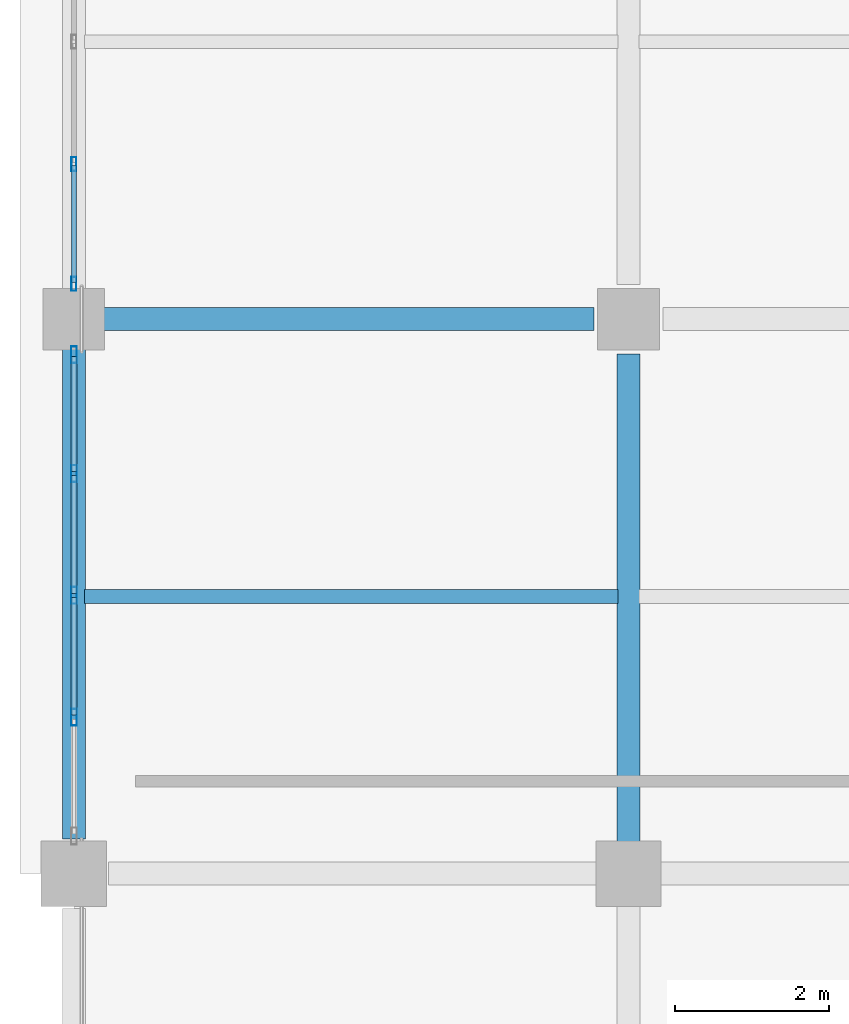
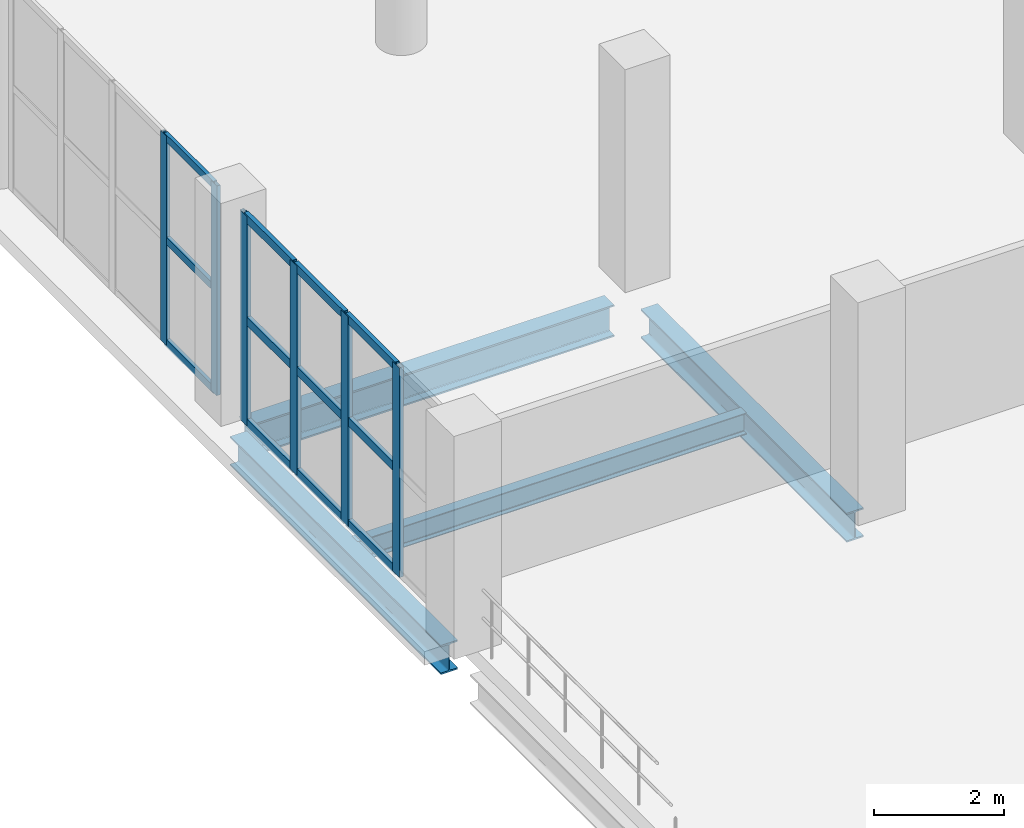
# One storey, part 11 of 153: 18 members, 4 beams, 2 elements without a shape of their own.
"""IFC4 building model written with IfcOpenShell, lengths in metres."""

from ifc_helpers import new_model, si_unit, direction, frame, origin, origin_2d, place, context, subcontext, project, spatial, hollow_rectangle, i_section, extrude, material, material_profile, profile_set, type_object, element, aggregate, save


model = new_model("IFC4")

# Units and contexts
model_context = context("Model", 3, precision=1e-05, world=origin(), true_north=direction((0.0, 1.0)))
body_context = subcontext(model_context, "Body", "Model", "MODEL_VIEW")
ifc_project = project(units=[si_unit("LENGTHUNIT", "METRE"), si_unit("AREAUNIT", "SQUARE_METRE"), si_unit("VOLUMEUNIT", "CUBIC_METRE"), si_unit("PLANEANGLEUNIT", "RADIAN"), si_unit("MASSUNIT", "GRAM", prefix="KILO")], contexts=[model_context])

# Site, building, storey
site_placement = place(None, origin())
site = spatial("IfcSite", under=ifc_project, at=site_placement, CompositionType="ELEMENT")
building_placement = place(site_placement, origin())
building = spatial("IfcBuilding", under=site, at=building_placement, Name="Qandorah Velis Arena", CompositionType="ELEMENT")
storey_placement = place(building_placement, frame((0.0, 0.0, 5.39990234375)))
storey = spatial("IfcBuildingStorey", under=building, at=storey_placement, Name="L01", CompositionType="ELEMENT", Elevation=5.39990234375)

# Curtain wall, members
ifc_material_1 = material(Name="Solar-control low-E double glazing", Category="glass")
curtain_wall_type_1 = type_object("IfcCurtainWallType", Name="ARC-CW-SYS02", PredefinedType="USERDEFINED", material=ifc_material_1)
curtain_wall_1_placement = place(storey_placement, origin())
curtain_wall_1 = element("IfcCurtainWall", 1, at=curtain_wall_1_placement, inside=storey, type_object=curtain_wall_type_1, Name="Unitised curtain wall L01-002", ObjectType="UNITISED CURTAIN WALL", PredefinedType="USERDEFINED")
ifc_material_2 = material(Name="Champagne-bronze anodized aluminium 6063-T6", Category="aluminium")
ifc_material_profile_1 = material_profile(ifc_material_2, hollow_rectangle(XDim=0.06494140625, YDim=0.179931640625, WallThickness=0.00341796875, at=origin_2d()), Name="ALU MULLION 65x180")
ifc_profile_set_1 = profile_set([ifc_material_profile_1], Name="Champagne-bronze anodized aluminium 6063-T6")
member_type_1 = type_object("IfcMemberType", Name="ARC-CWM-180", PredefinedType="MULLION", material=ifc_profile_set_1)
member_1_placement = place(storey_placement, frame((0.0, 22.0576171875, -0.014892578125), z_axis=(0.0, 0.0, 1.0), x_axis=(-1.0, 0.0, 0.0)))
member_1 = element("IfcMember", 2, at=member_1_placement, type_object=member_type_1, Name="CW02 mullion 1", PredefinedType="MULLION", context=body_context, shape_type="SweptSolid", body=[
    extrude(hollow_rectangle(XDim=0.06494140625, YDim=0.179931640625, WallThickness=0.00341796875, at=origin_2d()), origin(), (0.0, 0.0, 1.0), 3.949951171875),
])
member_2_placement = place(storey_placement, frame((0.0, 23.612548828125, -0.014892578125), z_axis=(0.0, 0.0, 1.0), x_axis=(-1.0, 0.0, 0.0)))
member_2 = element("IfcMember", 3, at=member_2_placement, type_object=member_type_1, Name="CW02 mullion 2", PredefinedType="MULLION", context=body_context, shape_type="SweptSolid", body=[
    extrude(hollow_rectangle(XDim=0.06494140625, YDim=0.179931640625, WallThickness=0.00341796875, at=origin_2d()), origin(), (0.0, 0.0, 1.0), 3.949951171875),
])

curtain_wall_type_2 = type_object("IfcCurtainWallType", Name="ARC-CW-SYS01", PredefinedType="USERDEFINED", material=ifc_material_1)
curtain_wall_2_placement = place(storey_placement, origin())
curtain_wall_2 = element("IfcCurtainWall", 4, at=curtain_wall_2_placement, inside=storey, type_object=curtain_wall_type_2, Name="Unitised curtain wall L01-001", ObjectType="UNITISED CURTAIN WALL", PredefinedType="USERDEFINED")
ifc_material_profile_2 = material_profile(ifc_material_2, hollow_rectangle(XDim=0.074951171875, YDim=0.219970703125, WallThickness=0.00390625, at=origin_2d()), Name="ALU MULLION 75x220")
ifc_profile_set_2 = profile_set([ifc_material_profile_2], Name="Champagne-bronze anodized aluminium 6063-T6")
member_type_2 = type_object("IfcMemberType", Name="ARC-CWM-220", PredefinedType="MULLION", material=ifc_profile_set_2)
member_3_placement = place(storey_placement, frame((0.0, 16.43115234375, -0.014892578125), z_axis=(0.0, 0.0, 1.0), x_axis=(-1.0, 0.0, 0.0)))
member_3 = element("IfcMember", 5, at=member_3_placement, type_object=member_type_2, Name="CW01 mullion 2", PredefinedType="MULLION", context=body_context, shape_type="SweptSolid", body=[
    extrude(hollow_rectangle(XDim=0.074951171875, YDim=0.219970703125, WallThickness=0.00390625, at=origin_2d()), origin(), (0.0, 0.0, 1.0), 3.949951171875),
])
member_4_placement = place(storey_placement, frame((0.0, 18.012451171875, -0.014892578125), z_axis=(0.0, 0.0, 1.0), x_axis=(-1.0, 0.0, 0.0)))
member_4 = element("IfcMember", 6, at=member_4_placement, type_object=member_type_2, Name="CW01 mullion 3", PredefinedType="MULLION", context=body_context, shape_type="SweptSolid", body=[
    extrude(hollow_rectangle(XDim=0.074951171875, YDim=0.219970703125, WallThickness=0.00390625, at=origin_2d()), origin(), (0.0, 0.0, 1.0), 3.949951171875),
])
member_5_placement = place(storey_placement, frame((0.0, 19.59375, -0.014892578125), z_axis=(0.0, 0.0, 1.0), x_axis=(-1.0, 0.0, 0.0)))
member_5 = element("IfcMember", 7, at=member_5_placement, type_object=member_type_2, Name="CW01 mullion 4", PredefinedType="MULLION", context=body_context, shape_type="SweptSolid", body=[
    extrude(hollow_rectangle(XDim=0.074951171875, YDim=0.219970703125, WallThickness=0.00390625, at=origin_2d()), origin(), (0.0, 0.0, 1.0), 3.949951171875),
])
member_6_placement = place(storey_placement, frame((0.0, 21.137451171875, -0.014892578125), z_axis=(0.0, 0.0, 1.0), x_axis=(-1.0, 0.0, 0.0)))
member_6 = element("IfcMember", 8, at=member_6_placement, type_object=member_type_2, Name="CW01 mullion 5", PredefinedType="MULLION", context=body_context, shape_type="SweptSolid", body=[
    extrude(hollow_rectangle(XDim=0.074951171875, YDim=0.219970703125, WallThickness=0.00390625, at=origin_2d()), origin(), (0.0, 0.0, 1.0), 3.949951171875),
])

# Member
ifc_material_profile_3 = material_profile(ifc_material_2, hollow_rectangle(XDim=0.06494140625, YDim=0.139892578125, WallThickness=0.0029296875, at=origin_2d()), Name="ALU TRANSOM 65x140")
ifc_profile_set_3 = profile_set([ifc_material_profile_3], Name="Champagne-bronze anodized aluminium 6063-T6")
member_type_3 = type_object("IfcMemberType", Name="ARC-CWT-140", PredefinedType="USERDEFINED", material=ifc_profile_set_3)
member_7_placement = place(storey_placement, frame((0.0, 22.077880859375, 0.03271484375), z_axis=(0.0, 1.0, 0.0), x_axis=(-1.0, 0.0, 0.0)))
member_7 = element("IfcMember", 9, at=member_7_placement, type_object=member_type_3, Name="CW02 transom 1.1", ObjectType="TRANSOM", PredefinedType="USERDEFINED", context=body_context, shape_type="SweptSolid", body=[
    extrude(hollow_rectangle(XDim=0.06494140625, YDim=0.139892578125, WallThickness=0.0029296875, at=origin_2d()), origin(), (0.0, 0.0, 1.0), 1.51416015625),
])

member_8_placement = place(storey_placement, frame((0.0, 22.077880859375, 1.960205078125), z_axis=(0.0, 1.0, 0.0), x_axis=(-1.0, 0.0, 0.0)))
member_8 = element("IfcMember", 10, at=member_8_placement, type_object=member_type_3, Name="CW02 transom 1.2", ObjectType="TRANSOM", PredefinedType="USERDEFINED", context=body_context, shape_type="SweptSolid", body=[
    extrude(hollow_rectangle(XDim=0.06494140625, YDim=0.139892578125, WallThickness=0.0029296875, at=origin_2d()), origin(), (0.0, 0.0, 1.0), 1.51416015625),
])

member_9_placement = place(storey_placement, frame((0.0, 22.077880859375, 3.8876953125), z_axis=(0.0, 1.0, 0.0), x_axis=(-1.0, 0.0, 0.0)))
member_9 = element("IfcMember", 11, at=member_9_placement, type_object=member_type_3, Name="CW02 transom 1.3", ObjectType="TRANSOM", PredefinedType="USERDEFINED", context=body_context, shape_type="SweptSolid", body=[
    extrude(hollow_rectangle(XDim=0.06494140625, YDim=0.139892578125, WallThickness=0.0029296875, at=origin_2d()), origin(), (0.0, 0.0, 1.0), 1.51416015625),
])

aggregate(curtain_wall_1, [member_1, member_2, member_7, member_8, member_9])

ifc_material_profile_4 = material_profile(ifc_material_2, hollow_rectangle(XDim=0.074951171875, YDim=0.159912109375, WallThickness=0.00341796875, at=origin_2d()), Name="ALU TRANSOM 75x160")
ifc_profile_set_4 = profile_set([ifc_material_profile_4], Name="Champagne-bronze anodized aluminium 6063-T6")
member_type_4 = type_object("IfcMemberType", Name="ARC-CWT-160", PredefinedType="USERDEFINED", material=ifc_profile_set_4)
member_10_placement = place(storey_placement, frame((0.0, 16.456787109375, 0.03759765625), z_axis=(0.0, 1.0, 0.0), x_axis=(-1.0, 0.0, 0.0)))
member_10 = element("IfcMember", 12, at=member_10_placement, type_object=member_type_4, Name="CW01 transom 2.1", ObjectType="TRANSOM", PredefinedType="USERDEFINED", context=body_context, shape_type="SweptSolid", body=[
    extrude(hollow_rectangle(XDim=0.074951171875, YDim=0.159912109375, WallThickness=0.00341796875, at=origin_2d()), origin(), (0.0, 0.0, 1.0), 1.5302734375),
])

member_11_placement = place(storey_placement, frame((0.0, 16.456787109375, 1.960205078125), z_axis=(0.0, 1.0, 0.0), x_axis=(-1.0, 0.0, 0.0)))
member_11 = element("IfcMember", 13, at=member_11_placement, type_object=member_type_4, Name="CW01 transom 2.2", ObjectType="TRANSOM", PredefinedType="USERDEFINED", context=body_context, shape_type="SweptSolid", body=[
    extrude(hollow_rectangle(XDim=0.074951171875, YDim=0.159912109375, WallThickness=0.00341796875, at=origin_2d()), origin(), (0.0, 0.0, 1.0), 1.5302734375),
])

member_12_placement = place(storey_placement, frame((0.0, 16.456787109375, 3.882568359375), z_axis=(0.0, 1.0, 0.0), x_axis=(-1.0, 0.0, 0.0)))
member_12 = element("IfcMember", 14, at=member_12_placement, type_object=member_type_4, Name="CW01 transom 2.3", ObjectType="TRANSOM", PredefinedType="USERDEFINED", context=body_context, shape_type="SweptSolid", body=[
    extrude(hollow_rectangle(XDim=0.074951171875, YDim=0.159912109375, WallThickness=0.00341796875, at=origin_2d()), origin(), (0.0, 0.0, 1.0), 1.5302734375),
])

member_13_placement = place(storey_placement, frame((0.0, 18.0380859375, 0.03759765625), z_axis=(0.0, 1.0, 0.0), x_axis=(-1.0, 0.0, 0.0)))
member_13 = element("IfcMember", 15, at=member_13_placement, type_object=member_type_4, Name="CW01 transom 3.1", ObjectType="TRANSOM", PredefinedType="USERDEFINED", context=body_context, shape_type="SweptSolid", body=[
    extrude(hollow_rectangle(XDim=0.074951171875, YDim=0.159912109375, WallThickness=0.00341796875, at=origin_2d()), origin(), (0.0, 0.0, 1.0), 1.530029296875),
])

member_14_placement = place(storey_placement, frame((0.0, 18.0380859375, 1.960205078125), z_axis=(0.0, 1.0, 0.0), x_axis=(-1.0, 0.0, 0.0)))
member_14 = element("IfcMember", 16, at=member_14_placement, type_object=member_type_4, Name="CW01 transom 3.2", ObjectType="TRANSOM", PredefinedType="USERDEFINED", context=body_context, shape_type="SweptSolid", body=[
    extrude(hollow_rectangle(XDim=0.074951171875, YDim=0.159912109375, WallThickness=0.00341796875, at=origin_2d()), origin(), (0.0, 0.0, 1.0), 1.530029296875),
])

member_15_placement = place(storey_placement, frame((0.0, 18.0380859375, 3.882568359375), z_axis=(0.0, 1.0, 0.0), x_axis=(-1.0, 0.0, 0.0)))
member_15 = element("IfcMember", 17, at=member_15_placement, type_object=member_type_4, Name="CW01 transom 3.3", ObjectType="TRANSOM", PredefinedType="USERDEFINED", context=body_context, shape_type="SweptSolid", body=[
    extrude(hollow_rectangle(XDim=0.074951171875, YDim=0.159912109375, WallThickness=0.00341796875, at=origin_2d()), origin(), (0.0, 0.0, 1.0), 1.530029296875),
])

member_16_placement = place(storey_placement, frame((0.0, 19.619384765625, 0.03759765625), z_axis=(0.0, 1.0, 0.0), x_axis=(-1.0, 0.0, 0.0)))
member_16 = element("IfcMember", 18, at=member_16_placement, type_object=member_type_4, Name="CW01 transom 4.1", ObjectType="TRANSOM", PredefinedType="USERDEFINED", context=body_context, shape_type="SweptSolid", body=[
    extrude(hollow_rectangle(XDim=0.074951171875, YDim=0.159912109375, WallThickness=0.00341796875, at=origin_2d()), origin(), (0.0, 0.0, 1.0), 1.49267578125),
])

member_17_placement = place(storey_placement, frame((0.0, 19.619384765625, 1.960205078125), z_axis=(0.0, 1.0, 0.0), x_axis=(-1.0, 0.0, 0.0)))
member_17 = element("IfcMember", 19, at=member_17_placement, type_object=member_type_4, Name="CW01 transom 4.2", ObjectType="TRANSOM", PredefinedType="USERDEFINED", context=body_context, shape_type="SweptSolid", body=[
    extrude(hollow_rectangle(XDim=0.074951171875, YDim=0.159912109375, WallThickness=0.00341796875, at=origin_2d()), origin(), (0.0, 0.0, 1.0), 1.49267578125),
])

member_18_placement = place(storey_placement, frame((0.0, 19.619384765625, 3.882568359375), z_axis=(0.0, 1.0, 0.0), x_axis=(-1.0, 0.0, 0.0)))
member_18 = element("IfcMember", 20, at=member_18_placement, type_object=member_type_4, Name="CW01 transom 4.3", ObjectType="TRANSOM", PredefinedType="USERDEFINED", context=body_context, shape_type="SweptSolid", body=[
    extrude(hollow_rectangle(XDim=0.074951171875, YDim=0.159912109375, WallThickness=0.00341796875, at=origin_2d()), origin(), (0.0, 0.0, 1.0), 1.49267578125),
])

aggregate(curtain_wall_2, [member_3, member_4, member_5, member_6, member_10, member_11, member_12, member_13, member_14, member_15, member_16, member_17, member_18])

# Beams
ifc_material_3 = material(Name="Steel S355", Category="steel")
ifc_material_profile_5 = material_profile(ifc_material_3, i_section(OverallWidth=0.300048828125, OverallDepth=0.550048828125, WebThickness=0.014892578125, FlangeThickness=0.029052734375, FilletRadius=0.027099609375, at=origin_2d()), Name="HEB 550")
ifc_profile_set_5 = profile_set([ifc_material_profile_5], Name="Steel S355")
beam_type_1 = type_object("IfcBeamType", Name="STR-BM-HEB550", PredefinedType="BEAM", material=ifc_profile_set_5)
beam_1_placement = place(storey_placement, frame((0.0, 14.85009765625, -0.635009765625), z_axis=(0.0, 1.0, 0.0), x_axis=(-1.0, 0.0, 0.0)))
element("IfcBeam", 21, at=beam_1_placement, inside=storey, type_object=beam_type_1, Name="Primary floor girder L01 Y-222", PredefinedType="BEAM", context=body_context, shape_type="SweptSolid", body=[
    extrude(i_section(OverallWidth=0.300048828125, OverallDepth=0.550048828125, WebThickness=0.014892578125, FlangeThickness=0.029052734375, FilletRadius=0.027099609375, at=origin_2d()), origin(), (0.0, 0.0, 1.0), 6.5),
])
beam_2_placement = place(storey_placement, frame((7.199951171875, 14.800048828125, -0.635009765625), z_axis=(0.0, 1.0, 0.0), x_axis=(-1.0, 0.0, 0.0)))
element("IfcBeam", 22, at=beam_2_placement, inside=storey, type_object=beam_type_1, Name="Primary floor girder L01 Y-240", PredefinedType="BEAM", context=body_context, shape_type="SweptSolid", body=[
    extrude(i_section(OverallWidth=0.300048828125, OverallDepth=0.550048828125, WebThickness=0.014892578125, FlangeThickness=0.029052734375, FilletRadius=0.027099609375, at=origin_2d()), origin(), (0.0, 0.0, 1.0), 6.349853515625),
])
ifc_material_profile_6 = material_profile(ifc_material_3, i_section(OverallWidth=0.300048828125, OverallDepth=0.60009765625, WebThickness=0.015380859375, FlangeThickness=0.030029296875, FilletRadius=0.027099609375, at=origin_2d()), Name="HEB 600")
ifc_profile_set_6 = profile_set([ifc_material_profile_6], Name="Steel S355")
beam_type_2 = type_object("IfcBeamType", Name="STR-BM-HEB600", PredefinedType="BEAM", material=ifc_profile_set_6)
beam_3_placement = place(storey_placement, frame((0.25, 21.60009765625, -0.659912109375), z_axis=(1.0, 0.0, 0.0), x_axis=(0.0, 1.0, 0.0)))
element("IfcBeam", 23, at=beam_3_placement, inside=storey, type_object=beam_type_2, Name="Primary floor girder L01 X-049", PredefinedType="BEAM", context=body_context, shape_type="SweptSolid", body=[
    extrude(i_section(OverallWidth=0.300048828125, OverallDepth=0.60009765625, WebThickness=0.015380859375, FlangeThickness=0.030029296875, FilletRadius=0.027099609375, at=origin_2d()), origin(), (0.0, 0.0, 1.0), 6.5),
])
ifc_material_profile_7 = material_profile(ifc_material_3, i_section(OverallWidth=0.179931640625, OverallDepth=0.39990234375, WebThickness=0.008544921875, FlangeThickness=0.013427734375, FilletRadius=0.02099609375, at=origin_2d()), Name="IPE 400")
ifc_profile_set_7 = profile_set([ifc_material_profile_7], Name="Steel S355")
beam_type_3 = type_object("IfcBeamType", Name="STR-JST-IPE400", PredefinedType="JOIST", material=ifc_profile_set_7)
beam_4_placement = place(storey_placement, frame((0.135009765625, 18.0, -0.559814453125), z_axis=(1.0, 0.0, 0.0), x_axis=(0.0, 1.0, 0.0)))
element("IfcBeam", 24, at=beam_4_placement, inside=storey, type_object=beam_type_3, Name="Secondary floor joist L01-003", PredefinedType="JOIST", context=body_context, shape_type="SweptSolid", body=[
    extrude(i_section(OverallWidth=0.179931640625, OverallDepth=0.39990234375, WebThickness=0.008544921875, FlangeThickness=0.013427734375, FilletRadius=0.02099609375, at=origin_2d()), origin(), (0.0, 0.0, 1.0), 6.929931640625),
])

save(model, "model.ifc")
